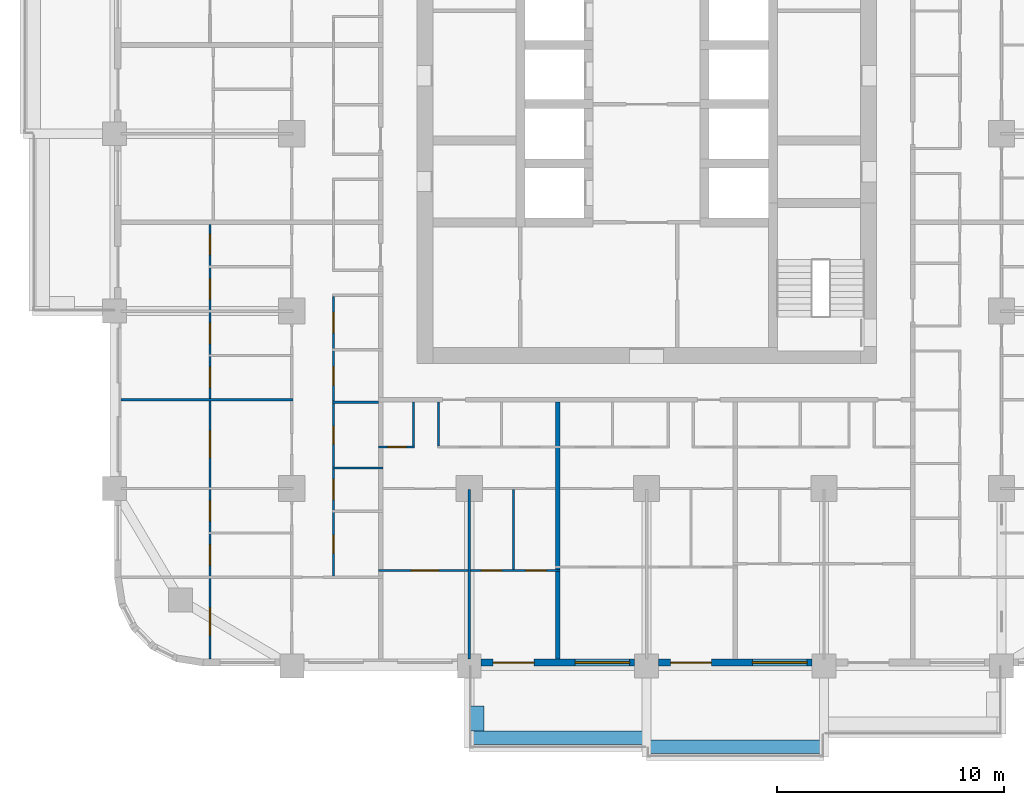
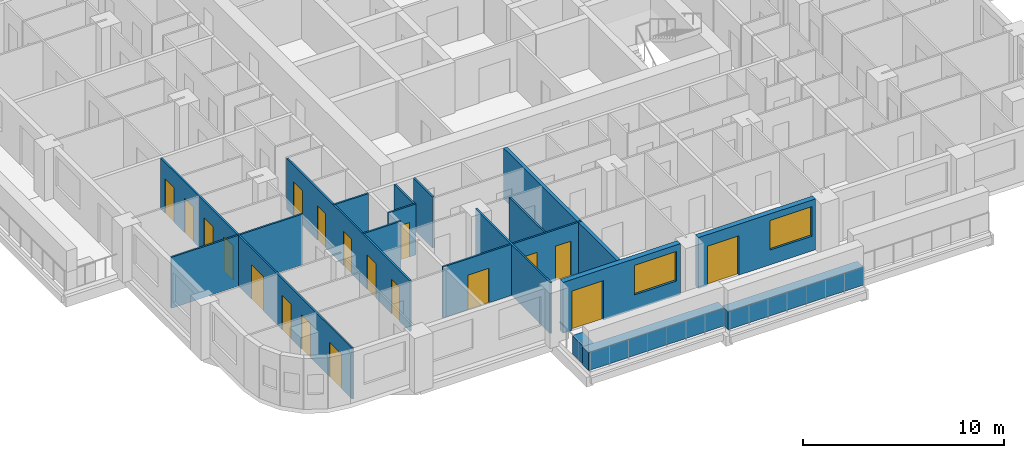
# One storey, part 3 of 17: 19 doors, 17 walls, 2 windows, 21 openings.
"""IFC4 building model written with IfcOpenShell, lengths in metres."""

from ifc_helpers import new_model, si_unit, direction, frame, frame_2d, origin, place, context, subcontext, project, spatial, rectangle, extrude, material, layer, layer_set, type_object, element, fill, save


model = new_model("IFC4")

# Units and contexts
model_context = context("Model", 3, precision=1e-05, world=origin(), true_north=direction((0.0, 1.0)))
body_context = subcontext(model_context, "Body", "Model", "MODEL_VIEW")
ifc_project = project(units=[si_unit("LENGTHUNIT", "METRE"), si_unit("AREAUNIT", "SQUARE_METRE"), si_unit("VOLUMEUNIT", "CUBIC_METRE"), si_unit("PLANEANGLEUNIT", "RADIAN"), si_unit("MASSUNIT", "GRAM", prefix="KILO")], contexts=[model_context])

# Site, building, storey
site_placement = place(None, origin())
site = spatial("IfcSite", under=ifc_project, at=site_placement, CompositionType="ELEMENT")
building_placement = place(site_placement, origin())
building = spatial("IfcBuilding", under=site, at=building_placement, Name="Ludao Terraces", CompositionType="ELEMENT")
storey_placement = place(building_placement, frame((0.0, 0.0, 43.300048828125)))
storey = spatial("IfcBuildingStorey", under=building, at=storey_placement, Name="L11", CompositionType="ELEMENT", Elevation=43.300048828125)

# Walls
ifc_material_1 = material(Name="Concrete C40", Category="concrete")
ifc_layer_1 = layer(ifc_material_1, 0.60009765625)
ifc_layer_set_1 = layer_set([ifc_layer_1], Name="ENV Planter trough 600")
wall_type_1 = type_object("IfcWallType", Name="ENV Planter trough 600", PredefinedType="USERDEFINED", material=ifc_layer_set_1)
wall_1_placement = place(storey_placement, frame((77.199951171875, 38.449951171875, 0.0), z_axis=(0.0, 0.0, 1.0), x_axis=(1.0, 0.0, 0.0)))
element("IfcWall", 1, at=wall_1_placement, inside=storey, type_object=wall_type_1, Name="PL-L11-S2", ObjectType="PLANTER", PredefinedType="USERDEFINED", context=body_context, shape_type="SweptSolid", body=[
    extrude(rectangle(XDim=7.800048828125, YDim=0.60009765625, at=frame_2d((3.89990234375, 0.0))), origin(), (0.0, 0.0, 1.0), 1.099853515625),
])
wall_2_placement = place(storey_placement, frame((77.550048828125, 38.75, 0.0), z_axis=(0.0, 0.0, 1.0), x_axis=(0.0, 1.0, 0.0)))
element("IfcWall", 2, at=wall_2_placement, inside=storey, type_object=wall_type_1, Name="PL-L11-S2-SA", ObjectType="PLANTER", PredefinedType="USERDEFINED", context=body_context, shape_type="SweptSolid", body=[
    extrude(rectangle(XDim=1.10009765625, YDim=0.60009765625, at=frame_2d((0.550048828125, 0.0))), origin(), (0.0, 0.0, 1.0), 1.099853515625),
])
wall_3_placement = place(storey_placement, frame((85.0, 38.050048828125, 0.0), z_axis=(0.0, 0.0, 1.0), x_axis=(1.0, 0.0, 0.0)))
element("IfcWall", 3, at=wall_3_placement, inside=storey, type_object=wall_type_1, Name="PL-L11-S3", ObjectType="PLANTER", PredefinedType="USERDEFINED", context=body_context, shape_type="SweptSolid", body=[
    extrude(rectangle(XDim=7.800048828125, YDim=0.60009765625, at=frame_2d((3.89990234375, 0.0))), origin(), (0.0, 0.0, 1.0), 1.099853515625),
])

# Wall, openings, door, window
ifc_material_2 = material(Name="Granite cladding", Category="masonry")
ifc_layer_2 = layer(ifc_material_2, 0.0400390625, Category="stone")
ifc_material_3 = material(Name="Mineral wool")
ifc_layer_3 = layer(ifc_material_3, 0.06005859375)
ifc_layer_4 = layer(ifc_material_1, 0.199951171875, Category="concrete")
ifc_layer_set_2 = layer_set([ifc_layer_2, ifc_layer_3, ifc_layer_4], Name="ENV Stone-clad wall 300")
wall_type_2 = type_object("IfcWallType", Name="ENV Stone-clad wall 300", PredefinedType="SOLIDWALL", material=ifc_layer_set_2)
wall_4_placement = place(storey_placement, frame((77.72509765625, 41.75, 0.0), z_axis=(0.0, 0.0, 1.0), x_axis=(1.0, 0.0, 0.0)))
wall_4 = element("IfcWall", 4, at=wall_4_placement, inside=storey, type_object=wall_type_2, Name="EW-L11-S3", PredefinedType="SOLIDWALL", context=body_context, shape_type="SweptSolid", body=[
    extrude(rectangle(XDim=6.75, YDim=0.300048828125, at=frame_2d((3.375, 0.0))), origin(), (0.0, 0.0, 1.0), 3.099853515625),
])
opening_1_placement = place(wall_4_placement, frame((0.52490234375, 0.0, 0.0)))
opening_1 = element("IfcOpeningElement", 5, at=opening_1_placement, cuts=wall_4, Name="Opening BD", PredefinedType="OPENING", context=body_context, shape_type="SweptSolid", body=[
    extrude(rectangle(XDim=1.800048828125, YDim=2.39990234375, at=frame_2d((0.89990234375, 1.199951171875))), frame((0.0, 0.16015625, 0.0), z_axis=(0.0, -1.0, 0.0), x_axis=(1.0, 0.0, 0.0)), (0.0, 0.0, 1.0), 0.320068359375),
])
opening_2_placement = place(wall_4_placement, frame((4.125, 0.0, 0.89990234375)))
opening_2 = element("IfcOpeningElement", 6, at=opening_2_placement, cuts=wall_4, Name="Opening W1", PredefinedType="OPENING", context=body_context, shape_type="SweptSolid", body=[
    extrude(rectangle(XDim=2.39990234375, YDim=1.800048828125, at=frame_2d((1.199951171875, 0.89990234375))), frame((0.0, 0.16015625, 0.0), z_axis=(0.0, -1.0, 0.0), x_axis=(1.0, 0.0, 0.0)), (0.0, 0.0, 1.0), 0.320068359375),
])
ifc_material_4 = material(Name="Aluminium glazed door", Category="aluminium")
ifc_layer_5 = layer(ifc_material_4, 0.06005859375)
ifc_layer_set_3 = layer_set([ifc_layer_5], Name="ENV Balcony door BD 1800x2400")
door_type_1 = type_object("IfcDoorType", Name="ENV Balcony door BD 1800x2400", OperationType="DOUBLE_DOOR_SINGLE_SWING", PredefinedType="DOOR", material=ifc_layer_set_3)
door_1_placement = place(opening_1_placement, origin())
door_1 = element("IfcDoor", 7, at=door_1_placement, inside=storey, type_object=door_type_1, Name="BD-L11-S3-1", OperationType="DOUBLE_DOOR_SINGLE_SWING", OverallHeight=2.39990234375, OverallWidth=1.800048828125, PredefinedType="DOOR", context=body_context, shape_type="SweptSolid", body=[
    extrude(rectangle(XDim=1.800048828125, YDim=2.39990234375, at=frame_2d((0.89990234375, 1.199951171875))), frame((0.0, 0.02490234375, 0.0), z_axis=(0.0, -1.0, 0.0), x_axis=(1.0, 0.0, 0.0)), (0.0, 0.0, 1.0), 0.050048828125),
])
fill(opening_1, door_1)
ifc_material_5 = material(Name="Clear glass in aluminium frame", Category="aluminium")
ifc_layer_6 = layer(ifc_material_5, 0.06005859375)
ifc_layer_set_4 = layer_set([ifc_layer_6], Name="ENV Window W1 2400x1800")
window_type = type_object("IfcWindowType", Name="ENV Window W1 2400x1800", PartitioningType="DOUBLE_PANEL_VERTICAL", PredefinedType="WINDOW", material=ifc_layer_set_4)
window_1_placement = place(opening_2_placement, origin())
window_1 = element("IfcWindow", 8, at=window_1_placement, inside=storey, type_object=window_type, Name="W-L11-S3-2", OverallHeight=1.800048828125, OverallWidth=2.39990234375, PartitioningType="DOUBLE_PANEL_VERTICAL", PredefinedType="WINDOW", context=body_context, shape_type="SweptSolid", body=[
    extrude(rectangle(XDim=2.39990234375, YDim=1.800048828125, at=frame_2d((1.199951171875, 0.89990234375))), frame((0.0, 0.030029296875, 0.0), z_axis=(0.0, -1.0, 0.0), x_axis=(1.0, 0.0, 0.0)), (0.0, 0.0, 1.0), 0.06005859375),
])
fill(opening_2, window_1)

wall_5_placement = place(storey_placement, frame((85.52490234375, 41.75, 0.0), z_axis=(0.0, 0.0, 1.0), x_axis=(1.0, 0.0, 0.0)))
wall_5 = element("IfcWall", 9, at=wall_5_placement, inside=storey, type_object=wall_type_2, Name="EW-L11-S4", PredefinedType="SOLIDWALL", context=body_context, shape_type="SweptSolid", body=[
    extrude(rectangle(XDim=6.75, YDim=0.300048828125, at=frame_2d((3.375, 0.0))), origin(), (0.0, 0.0, 1.0), 3.099853515625),
])
opening_3_placement = place(wall_5_placement, frame((0.52490234375, 0.0, 0.0)))
opening_3 = element("IfcOpeningElement", 10, at=opening_3_placement, cuts=wall_5, Name="Opening BD", PredefinedType="OPENING", context=body_context, shape_type="SweptSolid", body=[
    extrude(rectangle(XDim=1.800048828125, YDim=2.39990234375, at=frame_2d((0.89990234375, 1.199951171875))), frame((0.0, 0.16015625, 0.0), z_axis=(0.0, -1.0, 0.0), x_axis=(1.0, 0.0, 0.0)), (0.0, 0.0, 1.0), 0.320068359375),
])
opening_4_placement = place(wall_5_placement, frame((4.125, 0.0, 0.89990234375)))
opening_4 = element("IfcOpeningElement", 11, at=opening_4_placement, cuts=wall_5, Name="Opening W1", PredefinedType="OPENING", context=body_context, shape_type="SweptSolid", body=[
    extrude(rectangle(XDim=2.39990234375, YDim=1.800048828125, at=frame_2d((1.199951171875, 0.89990234375))), frame((0.0, 0.16015625, 0.0), z_axis=(0.0, -1.0, 0.0), x_axis=(1.0, 0.0, 0.0)), (0.0, 0.0, 1.0), 0.320068359375),
])
door_2_placement = place(opening_3_placement, origin())
door_2 = element("IfcDoor", 12, at=door_2_placement, inside=storey, type_object=door_type_1, Name="BD-L11-S4-1", OperationType="DOUBLE_DOOR_SINGLE_SWING", OverallHeight=2.39990234375, OverallWidth=1.800048828125, PredefinedType="DOOR", context=body_context, shape_type="SweptSolid", body=[
    extrude(rectangle(XDim=1.800048828125, YDim=2.39990234375, at=frame_2d((0.89990234375, 1.199951171875))), frame((0.0, 0.02490234375, 0.0), z_axis=(0.0, -1.0, 0.0), x_axis=(1.0, 0.0, 0.0)), (0.0, 0.0, 1.0), 0.050048828125),
])
fill(opening_3, door_2)
window_2_placement = place(opening_4_placement, origin())
window_2 = element("IfcWindow", 13, at=window_2_placement, inside=storey, type_object=window_type, Name="W-L11-S4-2", OverallHeight=1.800048828125, OverallWidth=2.39990234375, PartitioningType="DOUBLE_PANEL_VERTICAL", PredefinedType="WINDOW", context=body_context, shape_type="SweptSolid", body=[
    extrude(rectangle(XDim=2.39990234375, YDim=1.800048828125, at=frame_2d((1.199951171875, 0.89990234375))), frame((0.0, 0.030029296875, 0.0), z_axis=(0.0, -1.0, 0.0), x_axis=(1.0, 0.0, 0.0)), (0.0, 0.0, 1.0), 0.06005859375),
])
fill(opening_4, window_2)

# Wall, openings, doors
ifc_material_6 = material(Name="Gypsum plasterboard", Category="gypsum")
ifc_layer_7 = layer(ifc_material_6, 0.012451171875, Category="gypsum")
ifc_layer_8 = layer(ifc_material_3, 0.06005859375, Name="insulation")
ifc_material_7 = material(Name="Steel Q235", Category="steel")
ifc_layer_9 = layer(ifc_material_7, 0.014892578125, Name="stud")
ifc_layer_10 = layer(ifc_material_6, 0.012451171875, Category="gypsum")
ifc_layer_set_5 = layer_set([ifc_layer_7, ifc_layer_8, ifc_layer_9, ifc_layer_10], Name="INT Partition 100")
wall_type_3 = type_object("IfcWallType", Name="INT Partition 100", PredefinedType="PARTITIONING", material=ifc_layer_set_5)
wall_6_placement = place(storey_placement, frame((73.2001953125, 45.800048828125, 0.0), z_axis=(0.0, 0.0, 1.0), x_axis=(1.0, 0.0, 0.0)))
wall_6 = element("IfcWall", 14, at=wall_6_placement, inside=storey, type_object=wall_type_3, Name="PW-L11-PW002", PredefinedType="PARTITIONING", context=body_context, shape_type="SweptSolid", body=[
    extrude(rectangle(XDim=8.0, YDim=0.10009765625, at=frame_2d((4.0, 0.0))), origin(), (0.0, 0.0, 1.0), 3.099853515625),
])
opening_5_placement = place(wall_6_placement, frame((1.449951171875, 0.0, 0.0)))
opening_5 = element("IfcOpeningElement", 15, at=opening_5_placement, cuts=wall_6, Name="Opening R03-007", PredefinedType="OPENING", context=body_context, shape_type="SweptSolid", body=[
    extrude(rectangle(XDim=1.199951171875, YDim=2.10009765625, at=frame_2d((0.60009765625, 1.050048828125))), frame((0.0, 0.06005859375, 0.0), z_axis=(0.0, -1.0, 0.0), x_axis=(1.0, 0.0, 0.0)), (0.0, 0.0, 1.0), 0.1201171875),
])
opening_6_placement = place(wall_6_placement, frame((4.52490234375, 0.0, 0.0)))
opening_6 = element("IfcOpeningElement", 16, at=opening_6_placement, cuts=wall_6, Name="Opening R03-008", PredefinedType="OPENING", context=body_context, shape_type="SweptSolid", body=[
    extrude(rectangle(XDim=0.89990234375, YDim=2.10009765625, at=frame_2d((0.449951171875, 1.050048828125))), frame((0.0, 0.06005859375, 0.0), z_axis=(0.0, -1.0, 0.0), x_axis=(1.0, 0.0, 0.0)), (0.0, 0.0, 1.0), 0.1201171875),
])
opening_7_placement = place(wall_6_placement, frame((6.474853515625, 0.0, 0.0)))
opening_7 = element("IfcOpeningElement", 17, at=opening_7_placement, cuts=wall_6, Name="Opening R03-009", PredefinedType="OPENING", context=body_context, shape_type="SweptSolid", body=[
    extrude(rectangle(XDim=0.89990234375, YDim=2.10009765625, at=frame_2d((0.449951171875, 1.050048828125))), frame((0.0, 0.06005859375, 0.0), z_axis=(0.0, -1.0, 0.0), x_axis=(1.0, 0.0, 0.0)), (0.0, 0.0, 1.0), 0.1201171875),
])
ifc_material_8 = material(Name="Timber door leaf", Category="wood")
door_type_2 = type_object("IfcDoorType", Name="INT Bathroom door 900", OperationType="SINGLE_SWING_LEFT", PredefinedType="DOOR", material=ifc_material_8)
door_3_placement = place(opening_6_placement, origin())
door_3 = element("IfcDoor", 18, at=door_3_placement, inside=storey, type_object=door_type_2, Name="DOOR 008", OperationType="SINGLE_SWING_LEFT", OverallHeight=2.10009765625, OverallWidth=0.89990234375, PredefinedType="DOOR", context=body_context, shape_type="SweptSolid", body=[
    extrude(rectangle(XDim=0.89990234375, YDim=2.10009765625, at=frame_2d((0.449951171875, 1.050048828125))), frame((0.0, 0.02490234375, 0.0), z_axis=(0.0, -1.0, 0.0), x_axis=(1.0, 0.0, 0.0)), (0.0, 0.0, 1.0), 0.050048828125),
])
fill(opening_6, door_3)
door_type_3 = type_object("IfcDoorType", Name="INT Double door 1200", OperationType="DOUBLE_DOOR_SINGLE_SWING", PredefinedType="DOOR", material=ifc_material_8)
door_4_placement = place(opening_5_placement, origin())
door_4 = element("IfcDoor", 19, at=door_4_placement, inside=storey, type_object=door_type_3, Name="DOOR 007", OperationType="DOUBLE_DOOR_SINGLE_SWING", OverallHeight=2.10009765625, OverallWidth=1.199951171875, PredefinedType="DOOR", context=body_context, shape_type="SweptSolid", body=[
    extrude(rectangle(XDim=1.199951171875, YDim=2.10009765625, at=frame_2d((0.60009765625, 1.050048828125))), frame((0.0, 0.02490234375, 0.0), z_axis=(0.0, -1.0, 0.0), x_axis=(1.0, 0.0, 0.0)), (0.0, 0.0, 1.0), 0.050048828125),
])
fill(opening_5, door_4)
door_type_4 = type_object("IfcDoorType", Name="INT Room door 900", OperationType="SINGLE_SWING_LEFT", PredefinedType="DOOR", material=ifc_material_8)
door_5_placement = place(opening_7_placement, origin())
door_5 = element("IfcDoor", 20, at=door_5_placement, inside=storey, type_object=door_type_4, Name="DOOR 009", OperationType="SINGLE_SWING_LEFT", OverallHeight=2.10009765625, OverallWidth=0.89990234375, PredefinedType="DOOR", context=body_context, shape_type="SweptSolid", body=[
    extrude(rectangle(XDim=0.89990234375, YDim=2.10009765625, at=frame_2d((0.449951171875, 1.050048828125))), frame((0.0, 0.02490234375, 0.0), z_axis=(0.0, -1.0, 0.0), x_axis=(1.0, 0.0, 0.0)), (0.0, 0.0, 1.0), 0.050048828125),
])
fill(opening_7, door_5)

# Wall
wall_7_placement = place(storey_placement, frame((71.18017578125, 50.300048828125, 0.0), z_axis=(0.0, 0.0, 1.0), x_axis=(1.0, 0.0, 0.0)))
element("IfcWall", 21, at=wall_7_placement, inside=storey, type_object=wall_type_3, Name="PW-L11-PW012", PredefinedType="PARTITIONING", context=body_context, shape_type="SweptSolid", body=[
    extrude(rectangle(XDim=2.219970703125, YDim=0.10009765625, at=frame_2d((1.10986328125, 0.0))), origin(), (0.0, 0.0, 1.0), 3.099853515625),
])

# Wall, opening, door
wall_8_placement = place(storey_placement, frame((73.2001953125, 51.22998046875, 0.0), z_axis=(0.0, 0.0, 1.0), x_axis=(1.0, 0.0, 0.0)))
wall_8 = element("IfcWall", 22, at=wall_8_placement, inside=storey, type_object=wall_type_3, Name="PW-L11-PW014", PredefinedType="PARTITIONING", context=body_context, shape_type="SweptSolid", body=[
    extrude(rectangle(XDim=1.599853515625, YDim=0.10009765625, at=frame_2d((0.7998046875, 0.0))), origin(), (0.0, 0.0, 1.0), 3.099853515625),
])
opening_8_placement = place(wall_8_placement, frame((0.4248046875, 0.0, 0.0)))
opening_8 = element("IfcOpeningElement", 23, at=opening_8_placement, cuts=wall_8, Name="Opening R03-032", PredefinedType="OPENING", context=body_context, shape_type="SweptSolid", body=[
    extrude(rectangle(XDim=0.800048828125, YDim=2.10009765625, at=frame_2d((0.39990234375, 1.050048828125))), frame((0.0, 0.06005859375, 0.0), z_axis=(0.0, -1.0, 0.0), x_axis=(1.0, 0.0, 0.0)), (0.0, 0.0, 1.0), 0.1201171875),
])
door_type_5 = type_object("IfcDoorType", Name="INT Store door 800", OperationType="SINGLE_SWING_LEFT", PredefinedType="DOOR", material=ifc_material_8)
door_6_placement = place(opening_8_placement, origin())
door_6 = element("IfcDoor", 24, at=door_6_placement, inside=storey, type_object=door_type_5, Name="DOOR 032", OperationType="SINGLE_SWING_LEFT", OverallHeight=2.10009765625, OverallWidth=0.800048828125, PredefinedType="DOOR", context=body_context, shape_type="SweptSolid", body=[
    extrude(rectangle(XDim=0.800048828125, YDim=2.10009765625, at=frame_2d((0.39990234375, 1.050048828125))), frame((0.0, 0.02490234375, 0.0), z_axis=(0.0, -1.0, 0.0), x_axis=(1.0, 0.0, 0.0)), (0.0, 0.0, 1.0), 0.050048828125),
])
fill(opening_8, door_6)

# Walls
wall_9_placement = place(storey_placement, frame((71.18017578125, 53.199951171875, 0.0), z_axis=(0.0, 0.0, 1.0), x_axis=(1.0, 0.0, 0.0)))
element("IfcWall", 25, at=wall_9_placement, inside=storey, type_object=wall_type_3, Name="PW-L11-PW019", PredefinedType="PARTITIONING", context=body_context, shape_type="SweptSolid", body=[
    extrude(rectangle(XDim=2.02001953125, YDim=0.10009765625, at=frame_2d((1.010009765625, 0.0))), origin(), (0.0, 0.0, 1.0), 3.099853515625),
])
wall_10_placement = place(storey_placement, frame((61.900146484375, 53.300048828125, 0.0), z_axis=(0.0, 0.0, 1.0), x_axis=(1.0, 0.0, 0.0)))
element("IfcWall", 26, at=wall_10_placement, inside=storey, type_object=wall_type_3, Name="PW-L11-PW020", PredefinedType="PARTITIONING", context=body_context, shape_type="SweptSolid", body=[
    extrude(rectangle(XDim=7.550048828125, YDim=0.10009765625, at=frame_2d((3.77490234375, 0.0))), origin(), (0.0, 0.0, 1.0), 3.099853515625),
])

# Wall, openings, doors
wall_11_placement = place(storey_placement, frame((65.800048828125, 41.900146484375, 0.0), z_axis=(0.0, 0.0, 1.0), x_axis=(0.0, 1.0, 0.0)))
wall_11 = element("IfcWall", 27, at=wall_11_placement, inside=storey, type_object=wall_type_3, Name="PW-L11-PW079", PredefinedType="PARTITIONING", context=body_context, shape_type="SweptSolid", body=[
    extrude(rectangle(XDim=19.099853515625, YDim=0.10009765625, at=frame_2d((9.5498046875, 0.0))), origin(), (0.0, 0.0, 1.0), 3.099853515625),
])
opening_9_placement = place(wall_11_placement, frame((1.050048828125, 0.0, 0.0)))
opening_9 = element("IfcOpeningElement", 28, at=opening_9_placement, cuts=wall_11, Name="Opening R03-001", PredefinedType="OPENING", context=body_context, shape_type="SweptSolid", body=[
    extrude(rectangle(XDim=1.199951171875, YDim=2.10009765625, at=frame_2d((0.60009765625, 1.050048828125))), frame((0.0, 0.06005859375, 0.0), z_axis=(0.0, -1.0, 0.0), x_axis=(1.0, 0.0, 0.0)), (0.0, 0.0, 1.0), 0.1201171875),
])
opening_10_placement = place(wall_11_placement, frame((4.125, 0.0, 0.0)))
opening_10 = element("IfcOpeningElement", 29, at=opening_10_placement, cuts=wall_11, Name="Opening R03-016", PredefinedType="OPENING", context=body_context, shape_type="SweptSolid", body=[
    extrude(rectangle(XDim=0.89990234375, YDim=2.10009765625, at=frame_2d((0.449951171875, 1.050048828125))), frame((0.0, 0.06005859375, 0.0), z_axis=(0.0, -1.0, 0.0), x_axis=(1.0, 0.0, 0.0)), (0.0, 0.0, 1.0), 0.1201171875),
])
opening_11_placement = place(wall_11_placement, frame((6.074951171875, 0.0, 0.0)))
opening_11 = element("IfcOpeningElement", 30, at=opening_11_placement, cuts=wall_11, Name="Opening R03-022", PredefinedType="OPENING", context=body_context, shape_type="SweptSolid", body=[
    extrude(rectangle(XDim=0.89990234375, YDim=2.10009765625, at=frame_2d((0.449951171875, 1.050048828125))), frame((0.0, 0.06005859375, 0.0), z_axis=(0.0, -1.0, 0.0), x_axis=(1.0, 0.0, 0.0)), (0.0, 0.0, 1.0), 0.1201171875),
])
opening_12_placement = place(wall_11_placement, frame((8.85009765625, 0.0, 0.0)))
opening_12 = element("IfcOpeningElement", 31, at=opening_12_placement, cuts=wall_11, Name="Opening R03-041", PredefinedType="OPENING", context=body_context, shape_type="SweptSolid", body=[
    extrude(rectangle(XDim=1.199951171875, YDim=2.10009765625, at=frame_2d((0.60009765625, 1.050048828125))), frame((0.0, 0.06005859375, 0.0), z_axis=(0.0, -1.0, 0.0), x_axis=(1.0, 0.0, 0.0)), (0.0, 0.0, 1.0), 0.1201171875),
])
opening_13_placement = place(wall_11_placement, frame((11.925048828125, 0.0, 0.0)))
opening_13 = element("IfcOpeningElement", 32, at=opening_13_placement, cuts=wall_11, Name="Opening R03-051", PredefinedType="OPENING", context=body_context, shape_type="SweptSolid", body=[
    extrude(rectangle(XDim=0.89990234375, YDim=2.10009765625, at=frame_2d((0.449951171875, 1.050048828125))), frame((0.0, 0.06005859375, 0.0), z_axis=(0.0, -1.0, 0.0), x_axis=(1.0, 0.0, 0.0)), (0.0, 0.0, 1.0), 0.1201171875),
])
opening_14_placement = place(wall_11_placement, frame((13.875, 0.0, 0.0)))
opening_14 = element("IfcOpeningElement", 33, at=opening_14_placement, cuts=wall_11, Name="Opening R03-057", PredefinedType="OPENING", context=body_context, shape_type="SweptSolid", body=[
    extrude(rectangle(XDim=0.89990234375, YDim=2.10009765625, at=frame_2d((0.449951171875, 1.050048828125))), frame((0.0, 0.06005859375, 0.0), z_axis=(0.0, -1.0, 0.0), x_axis=(1.0, 0.0, 0.0)), (0.0, 0.0, 1.0), 0.1201171875),
])
opening_15_placement = place(wall_11_placement, frame((15.824951171875, 0.0, 0.0)))
opening_15 = element("IfcOpeningElement", 34, at=opening_15_placement, cuts=wall_11, Name="Opening R03-065", PredefinedType="OPENING", context=body_context, shape_type="SweptSolid", body=[
    extrude(rectangle(XDim=0.89990234375, YDim=2.10009765625, at=frame_2d((0.449951171875, 1.050048828125))), frame((0.0, 0.06005859375, 0.0), z_axis=(0.0, -1.0, 0.0), x_axis=(1.0, 0.0, 0.0)), (0.0, 0.0, 1.0), 0.1201171875),
])
opening_16_placement = place(wall_11_placement, frame((17.77490234375, 0.0, 0.0)))
opening_16 = element("IfcOpeningElement", 35, at=opening_16_placement, cuts=wall_11, Name="Opening R03-069", PredefinedType="OPENING", context=body_context, shape_type="SweptSolid", body=[
    extrude(rectangle(XDim=0.89990234375, YDim=2.10009765625, at=frame_2d((0.449951171875, 1.050048828125))), frame((0.0, 0.06005859375, 0.0), z_axis=(0.0, -1.0, 0.0), x_axis=(1.0, 0.0, 0.0)), (0.0, 0.0, 1.0), 0.1201171875),
])
door_7_placement = place(opening_10_placement, origin())
door_7 = element("IfcDoor", 36, at=door_7_placement, inside=storey, type_object=door_type_2, Name="DOOR 016", OperationType="SINGLE_SWING_RIGHT", OverallHeight=2.10009765625, OverallWidth=0.89990234375, PredefinedType="DOOR", context=body_context, shape_type="SweptSolid", body=[
    extrude(rectangle(XDim=0.89990234375, YDim=2.10009765625, at=frame_2d((0.449951171875, 1.050048828125))), frame((0.0, 0.02490234375, 0.0), z_axis=(0.0, -1.0, 0.0), x_axis=(1.0, 0.0, 0.0)), (0.0, 0.0, 1.0), 0.050048828125),
])
fill(opening_10, door_7)
door_8_placement = place(opening_13_placement, origin())
door_8 = element("IfcDoor", 37, at=door_8_placement, inside=storey, type_object=door_type_2, Name="DOOR 051", OperationType="SINGLE_SWING_RIGHT", OverallHeight=2.10009765625, OverallWidth=0.89990234375, PredefinedType="DOOR", context=body_context, shape_type="SweptSolid", body=[
    extrude(rectangle(XDim=0.89990234375, YDim=2.10009765625, at=frame_2d((0.449951171875, 1.050048828125))), frame((0.0, 0.02490234375, 0.0), z_axis=(0.0, -1.0, 0.0), x_axis=(1.0, 0.0, 0.0)), (0.0, 0.0, 1.0), 0.050048828125),
])
fill(opening_13, door_8)
door_9_placement = place(opening_15_placement, origin())
door_9 = element("IfcDoor", 38, at=door_9_placement, inside=storey, type_object=door_type_2, Name="DOOR 065", OperationType="SINGLE_SWING_LEFT", OverallHeight=2.10009765625, OverallWidth=0.89990234375, PredefinedType="DOOR", context=body_context, shape_type="SweptSolid", body=[
    extrude(rectangle(XDim=0.89990234375, YDim=2.10009765625, at=frame_2d((0.449951171875, 1.050048828125))), frame((0.0, 0.02490234375, 0.0), z_axis=(0.0, -1.0, 0.0), x_axis=(1.0, 0.0, 0.0)), (0.0, 0.0, 1.0), 0.050048828125),
])
fill(opening_15, door_9)
door_10_placement = place(opening_9_placement, origin())
door_10 = element("IfcDoor", 39, at=door_10_placement, inside=storey, type_object=door_type_3, Name="DOOR 001", OperationType="DOUBLE_DOOR_SINGLE_SWING", OverallHeight=2.10009765625, OverallWidth=1.199951171875, PredefinedType="DOOR", context=body_context, shape_type="SweptSolid", body=[
    extrude(rectangle(XDim=1.199951171875, YDim=2.10009765625, at=frame_2d((0.60009765625, 1.050048828125))), frame((0.0, 0.02490234375, 0.0), z_axis=(0.0, -1.0, 0.0), x_axis=(1.0, 0.0, 0.0)), (0.0, 0.0, 1.0), 0.050048828125),
])
fill(opening_9, door_10)
door_11_placement = place(opening_12_placement, origin())
door_11 = element("IfcDoor", 40, at=door_11_placement, inside=storey, type_object=door_type_3, Name="DOOR 041", OperationType="DOUBLE_DOOR_SINGLE_SWING", OverallHeight=2.10009765625, OverallWidth=1.199951171875, PredefinedType="DOOR", context=body_context, shape_type="SweptSolid", body=[
    extrude(rectangle(XDim=1.199951171875, YDim=2.10009765625, at=frame_2d((0.60009765625, 1.050048828125))), frame((0.0, 0.02490234375, 0.0), z_axis=(0.0, -1.0, 0.0), x_axis=(1.0, 0.0, 0.0)), (0.0, 0.0, 1.0), 0.050048828125),
])
fill(opening_12, door_11)
door_12_placement = place(opening_11_placement, origin())
door_12 = element("IfcDoor", 41, at=door_12_placement, inside=storey, type_object=door_type_4, Name="DOOR 022", OperationType="SINGLE_SWING_LEFT", OverallHeight=2.10009765625, OverallWidth=0.89990234375, PredefinedType="DOOR", context=body_context, shape_type="SweptSolid", body=[
    extrude(rectangle(XDim=0.89990234375, YDim=2.10009765625, at=frame_2d((0.449951171875, 1.050048828125))), frame((0.0, 0.02490234375, 0.0), z_axis=(0.0, -1.0, 0.0), x_axis=(1.0, 0.0, 0.0)), (0.0, 0.0, 1.0), 0.050048828125),
])
fill(opening_11, door_12)
door_13_placement = place(opening_14_placement, origin())
door_13 = element("IfcDoor", 42, at=door_13_placement, inside=storey, type_object=door_type_4, Name="DOOR 057", OperationType="SINGLE_SWING_RIGHT", OverallHeight=2.10009765625, OverallWidth=0.89990234375, PredefinedType="DOOR", context=body_context, shape_type="SweptSolid", body=[
    extrude(rectangle(XDim=0.89990234375, YDim=2.10009765625, at=frame_2d((0.449951171875, 1.050048828125))), frame((0.0, 0.02490234375, 0.0), z_axis=(0.0, -1.0, 0.0), x_axis=(1.0, 0.0, 0.0)), (0.0, 0.0, 1.0), 0.050048828125),
])
fill(opening_14, door_13)
door_14_placement = place(opening_16_placement, origin())
door_14 = element("IfcDoor", 43, at=door_14_placement, inside=storey, type_object=door_type_4, Name="DOOR 069", OperationType="SINGLE_SWING_LEFT", OverallHeight=2.10009765625, OverallWidth=0.89990234375, PredefinedType="DOOR", context=body_context, shape_type="SweptSolid", body=[
    extrude(rectangle(XDim=0.89990234375, YDim=2.10009765625, at=frame_2d((0.449951171875, 1.050048828125))), frame((0.0, 0.02490234375, 0.0), z_axis=(0.0, -1.0, 0.0), x_axis=(1.0, 0.0, 0.0)), (0.0, 0.0, 1.0), 0.050048828125),
])
fill(opening_16, door_14)

wall_12_placement = place(storey_placement, frame((71.22998046875, 45.550048828125, 0.0), z_axis=(0.0, 0.0, 1.0), x_axis=(0.0, 1.0, 0.0)))
wall_12 = element("IfcWall", 44, at=wall_12_placement, inside=storey, type_object=wall_type_3, Name="PW-L11-PW084", PredefinedType="PARTITIONING", context=body_context, shape_type="SweptSolid", body=[
    extrude(rectangle(XDim=12.300048828125, YDim=0.10009765625, at=frame_2d((6.14990234375, 0.0))), origin(), (0.0, 0.0, 1.0), 3.099853515625),
])
opening_17_placement = place(wall_12_placement, frame((1.0, 0.0, 0.0)))
opening_17 = element("IfcOpeningElement", 45, at=opening_17_placement, cuts=wall_12, Name="Opening R03-019", PredefinedType="OPENING", context=body_context, shape_type="SweptSolid", body=[
    extrude(rectangle(XDim=0.800048828125, YDim=2.10009765625, at=frame_2d((0.39990234375, 1.050048828125))), frame((0.0, 0.06005859375, 0.0), z_axis=(0.0, -1.0, 0.0), x_axis=(1.0, 0.0, 0.0)), (0.0, 0.0, 1.0), 0.1201171875),
])
opening_18_placement = place(wall_12_placement, frame((3.35009765625, 0.0, 0.0)))
opening_18 = element("IfcOpeningElement", 46, at=opening_18_placement, cuts=wall_12, Name="Opening R03-025", PredefinedType="OPENING", context=body_context, shape_type="SweptSolid", body=[
    extrude(rectangle(XDim=0.89990234375, YDim=2.10009765625, at=frame_2d((0.449951171875, 1.050048828125))), frame((0.0, 0.06005859375, 0.0), z_axis=(0.0, -1.0, 0.0), x_axis=(1.0, 0.0, 0.0)), (0.0, 0.0, 1.0), 0.1201171875),
])
opening_19_placement = place(wall_12_placement, frame((5.800048828125, 0.0, 0.0)))
opening_19 = element("IfcOpeningElement", 47, at=opening_19_placement, cuts=wall_12, Name="Opening R03-046", PredefinedType="OPENING", context=body_context, shape_type="SweptSolid", body=[
    extrude(rectangle(XDim=0.800048828125, YDim=2.10009765625, at=frame_2d((0.39990234375, 1.050048828125))), frame((0.0, 0.06005859375, 0.0), z_axis=(0.0, -1.0, 0.0), x_axis=(1.0, 0.0, 0.0)), (0.0, 0.0, 1.0), 0.1201171875),
])
opening_20_placement = place(wall_12_placement, frame((8.39990234375, 0.0, 0.0)))
opening_20 = element("IfcOpeningElement", 48, at=opening_20_placement, cuts=wall_12, Name="Opening R03-053", PredefinedType="OPENING", context=body_context, shape_type="SweptSolid", body=[
    extrude(rectangle(XDim=0.800048828125, YDim=2.10009765625, at=frame_2d((0.39990234375, 1.050048828125))), frame((0.0, 0.06005859375, 0.0), z_axis=(0.0, -1.0, 0.0), x_axis=(1.0, 0.0, 0.0)), (0.0, 0.0, 1.0), 0.1201171875),
])
opening_21_placement = place(wall_12_placement, frame((10.699951171875, 0.0, 0.0)))
opening_21 = element("IfcOpeningElement", 49, at=opening_21_placement, cuts=wall_12, Name="Opening R03-060", PredefinedType="OPENING", context=body_context, shape_type="SweptSolid", body=[
    extrude(rectangle(XDim=0.89990234375, YDim=2.10009765625, at=frame_2d((0.449951171875, 1.050048828125))), frame((0.0, 0.06005859375, 0.0), z_axis=(0.0, -1.0, 0.0), x_axis=(1.0, 0.0, 0.0)), (0.0, 0.0, 1.0), 0.1201171875),
])
door_15_placement = place(opening_18_placement, origin())
door_15 = element("IfcDoor", 50, at=door_15_placement, inside=storey, type_object=door_type_2, Name="DOOR 025", OperationType="SINGLE_SWING_RIGHT", OverallHeight=2.10009765625, OverallWidth=0.89990234375, PredefinedType="DOOR", context=body_context, shape_type="SweptSolid", body=[
    extrude(rectangle(XDim=0.89990234375, YDim=2.10009765625, at=frame_2d((0.449951171875, 1.050048828125))), frame((0.0, 0.02490234375, 0.0), z_axis=(0.0, -1.0, 0.0), x_axis=(1.0, 0.0, 0.0)), (0.0, 0.0, 1.0), 0.050048828125),
])
fill(opening_18, door_15)
door_16_placement = place(opening_21_placement, origin())
door_16 = element("IfcDoor", 51, at=door_16_placement, inside=storey, type_object=door_type_2, Name="DOOR 060", OperationType="SINGLE_SWING_RIGHT", OverallHeight=2.10009765625, OverallWidth=0.89990234375, PredefinedType="DOOR", context=body_context, shape_type="SweptSolid", body=[
    extrude(rectangle(XDim=0.89990234375, YDim=2.10009765625, at=frame_2d((0.449951171875, 1.050048828125))), frame((0.0, 0.02490234375, 0.0), z_axis=(0.0, -1.0, 0.0), x_axis=(1.0, 0.0, 0.0)), (0.0, 0.0, 1.0), 0.050048828125),
])
fill(opening_21, door_16)
door_17_placement = place(opening_17_placement, origin())
door_17 = element("IfcDoor", 52, at=door_17_placement, inside=storey, type_object=door_type_5, Name="DOOR 019", OperationType="SINGLE_SWING_LEFT", OverallHeight=2.10009765625, OverallWidth=0.800048828125, PredefinedType="DOOR", context=body_context, shape_type="SweptSolid", body=[
    extrude(rectangle(XDim=0.800048828125, YDim=2.10009765625, at=frame_2d((0.39990234375, 1.050048828125))), frame((0.0, 0.02490234375, 0.0), z_axis=(0.0, -1.0, 0.0), x_axis=(1.0, 0.0, 0.0)), (0.0, 0.0, 1.0), 0.050048828125),
])
fill(opening_17, door_17)
door_18_placement = place(opening_19_placement, origin())
door_18 = element("IfcDoor", 53, at=door_18_placement, inside=storey, type_object=door_type_5, Name="DOOR 046", OperationType="SINGLE_SWING_RIGHT", OverallHeight=2.10009765625, OverallWidth=0.800048828125, PredefinedType="DOOR", context=body_context, shape_type="SweptSolid", body=[
    extrude(rectangle(XDim=0.800048828125, YDim=2.10009765625, at=frame_2d((0.39990234375, 1.050048828125))), frame((0.0, 0.02490234375, 0.0), z_axis=(0.0, -1.0, 0.0), x_axis=(1.0, 0.0, 0.0)), (0.0, 0.0, 1.0), 0.050048828125),
])
fill(opening_19, door_18)
door_19_placement = place(opening_20_placement, origin())
door_19 = element("IfcDoor", 54, at=door_19_placement, inside=storey, type_object=door_type_5, Name="DOOR 053", OperationType="SINGLE_SWING_LEFT", OverallHeight=2.10009765625, OverallWidth=0.800048828125, PredefinedType="DOOR", context=body_context, shape_type="SweptSolid", body=[
    extrude(rectangle(XDim=0.800048828125, YDim=2.10009765625, at=frame_2d((0.39990234375, 1.050048828125))), frame((0.0, 0.02490234375, 0.0), z_axis=(0.0, -1.0, 0.0), x_axis=(1.0, 0.0, 0.0)), (0.0, 0.0, 1.0), 0.050048828125),
])
fill(opening_20, door_19)

# Walls
for number, where, z_axis, x_axis, name in (
    (55, (74.75, 51.280029296875, 0.0), (0.0, 0.0, 1.0), (0.0, 1.0, 0.0), "PW-L11-PW092"),
    (56, (75.85009765625, 51.280029296875, 0.0), (0.0, 0.0, 1.0), (0.0, 1.0, 0.0), "PW-L11-PW093"),
):
    element("IfcWall", number, at=place(storey_placement, frame(where, z_axis=z_axis, x_axis=x_axis)), inside=storey, type_object=wall_type_3, Name=name, PredefinedType="PARTITIONING", context=body_context, shape_type="SweptSolid", body=[
        extrude(rectangle(XDim=1.920166015625, YDim=0.10009765625, at=frame_2d((0.9599609375, 0.0))), origin(), (0.0, 0.0, 1.0), 3.099853515625),
    ])
wall_13_placement = place(storey_placement, frame((77.199951171875, 41.900146484375, 0.0), z_axis=(0.0, 0.0, 1.0), x_axis=(0.0, 1.0, 0.0)))
element("IfcWall", 57, at=wall_13_placement, inside=storey, type_object=wall_type_3, Name="PW-L11-PW094", PredefinedType="PARTITIONING", context=body_context, shape_type="SweptSolid", body=[
    extrude(rectangle(XDim=7.449951171875, YDim=0.10009765625, at=frame_2d((3.72509765625, 0.0))), origin(), (0.0, 0.0, 1.0), 3.099853515625),
])
wall_14_placement = place(storey_placement, frame((79.14990234375, 45.85009765625, 0.0), z_axis=(0.0, 0.0, 1.0), x_axis=(0.0, 1.0, 0.0)))
element("IfcWall", 58, at=wall_14_placement, inside=storey, type_object=wall_type_3, Name="PW-L11-PW097", PredefinedType="PARTITIONING", context=body_context, shape_type="SweptSolid", body=[
    extrude(rectangle(XDim=3.5, YDim=0.10009765625, at=frame_2d((1.75, 0.0))), origin(), (0.0, 0.0, 1.0), 3.099853515625),
])
ifc_material_9 = material(Name="Autoclaved aerated concrete block B06 A3.5", Category="concrete")
ifc_layer_11 = layer(ifc_material_9, 0.199951171875)
ifc_layer_set_6 = layer_set([ifc_layer_11], Name="INT Party wall 200")
wall_type_4 = type_object("IfcWallType", Name="INT Party wall 200", PredefinedType="PARTITIONING", material=ifc_layer_set_6)
wall_15_placement = place(storey_placement, frame((81.10009765625, 41.900146484375, 0.0), z_axis=(0.0, 0.0, 1.0), x_axis=(0.0, 1.0, 0.0)))
element("IfcWall", 59, at=wall_15_placement, inside=storey, type_object=wall_type_4, Name="PW-L11-PW099", PredefinedType="PARTITIONING", context=body_context, shape_type="SweptSolid", body=[
    extrude(rectangle(XDim=11.300048828125, YDim=0.199951171875, at=frame_2d((5.64990234375, 0.0))), origin(), (0.0, 0.0, 1.0), 3.099853515625),
])

save(model, "model.ifc")
